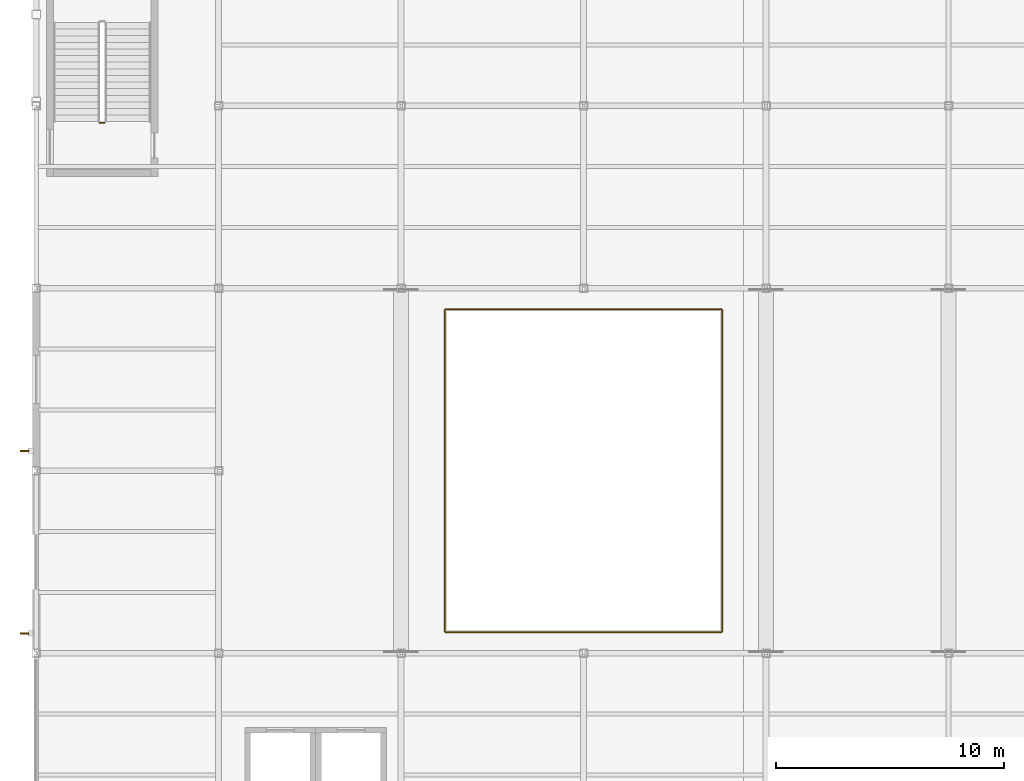
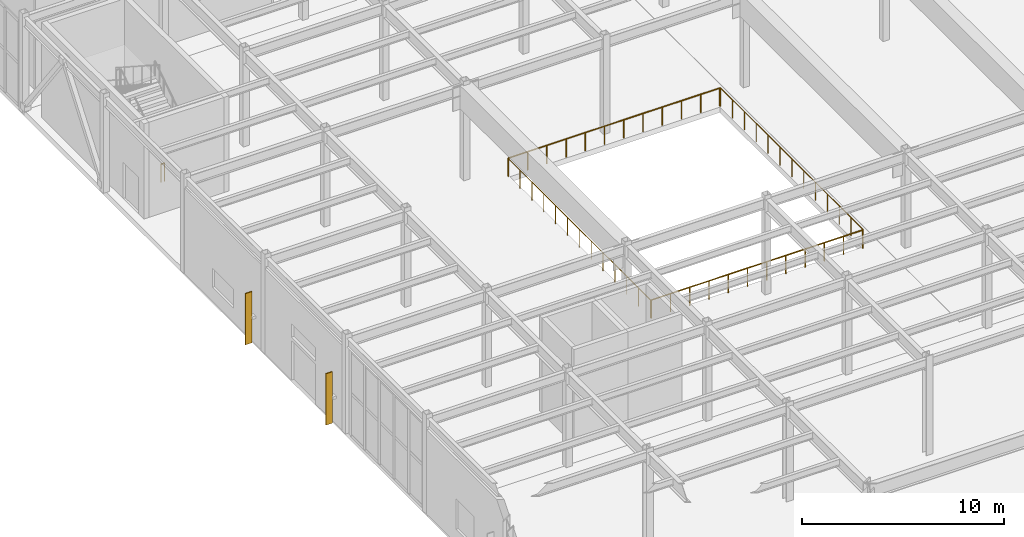
# One storey, part 75 of 82: 5 railings, 2 shading devices.
"""IFC4 building model written with IfcOpenShell, lengths in metres."""

from ifc_helpers import new_model, si_unit, direction, frame, origin, origin_2d, place, context, subcontext, project, spatial, rectangle, circle, extrude, material, type_object, element, save


model = new_model("IFC4")

# Units and contexts
model_context = context("Model", 3, precision=1e-05, world=origin(), true_north=direction((0.0, 1.0)))
body_context = subcontext(model_context, "Body", "Model", "MODEL_VIEW")
ifc_project = project(units=[si_unit("LENGTHUNIT", "METRE"), si_unit("AREAUNIT", "SQUARE_METRE"), si_unit("VOLUMEUNIT", "CUBIC_METRE"), si_unit("PLANEANGLEUNIT", "RADIAN"), si_unit("MASSUNIT", "GRAM", prefix="KILO")], contexts=[model_context])

# Site, building, storey
site_placement = place(None, origin())
site = spatial("IfcSite", under=ifc_project, at=site_placement, CompositionType="ELEMENT")
building_placement = place(site_placement, origin())
building = spatial("IfcBuilding", under=site, at=building_placement, Name="Drelvath Fold Interchange", CompositionType="ELEMENT")
storey_placement = place(building_placement, origin())
storey = spatial("IfcBuildingStorey", under=building, at=storey_placement, Name="L00", CompositionType="ELEMENT", Elevation=0.0)

# Railings
ifc_material_1 = material(Name="Stainless Steel 316L", Category="steel")
railing_type_1 = type_object("IfcRailingType", Name="RL-BAL1120", PredefinedType="BALUSTRADE", material=ifc_material_1)
railing_1_placement = place(storey_placement, frame((21.949951171875, 67.919921875, 0.0)))
element("IfcRailing", 1, at=railing_1_placement, inside=storey, type_object=railing_type_1, Name="L00 atrium overlook balustrade 2 (S)", PredefinedType="BALUSTRADE", context=body_context, shape_type="SweptSolid", body=[
    extrude(circle(Radius=0.02392578125, at=origin_2d()), frame((0.0, 0.0, 1.09619140625), z_axis=(1.0, 0.0, 0.0), x_axis=(0.0, 1.0, 0.0)), (0.0, 0.0, 1.0), 12.10009765625),
    extrude(circle(Radius=0.02099609375, at=origin_2d()), origin(), (0.0, 0.0, 1.0), 1.072021484375),
    extrude(circle(Radius=0.02099609375, at=origin_2d()), frame((1.10009765625, 0.0, 0.0)), (0.0, 0.0, 1.0), 1.072021484375),
    extrude(circle(Radius=0.02099609375, at=origin_2d()), frame((2.199951171875, 0.0, 0.0)), (0.0, 0.0, 1.0), 1.072021484375),
    extrude(circle(Radius=0.02099609375, at=origin_2d()), frame((3.300048828125, 0.0, 0.0)), (0.0, 0.0, 1.0), 1.072021484375),
    extrude(circle(Radius=0.02099609375, at=origin_2d()), frame((4.400146484375, 0.0, 0.0)), (0.0, 0.0, 1.0), 1.072021484375),
    extrude(circle(Radius=0.02099609375, at=origin_2d()), frame((5.5, 0.0, 0.0)), (0.0, 0.0, 1.0), 1.072021484375),
    extrude(circle(Radius=0.02099609375, at=origin_2d()), frame((6.60009765625, 0.0, 0.0)), (0.0, 0.0, 1.0), 1.072021484375),
    extrude(circle(Radius=0.02099609375, at=origin_2d()), frame((7.699951171875, 0.0, 0.0)), (0.0, 0.0, 1.0), 1.072021484375),
    extrude(circle(Radius=0.02099609375, at=origin_2d()), frame((8.800048828125, 0.0, 0.0)), (0.0, 0.0, 1.0), 1.072021484375),
    extrude(circle(Radius=0.02099609375, at=origin_2d()), frame((9.900146484375, 0.0, 0.0)), (0.0, 0.0, 1.0), 1.072021484375),
    extrude(circle(Radius=0.02099609375, at=origin_2d()), frame((11.0, 0.0, 0.0)), (0.0, 0.0, 1.0), 1.072021484375),
    extrude(circle(Radius=0.02099609375, at=origin_2d()), frame((12.10009765625, 0.0, 0.0)), (0.0, 0.0, 1.0), 1.072021484375),
])
railing_2_placement = place(storey_placement, frame((34.080078125, 67.949951171875, 0.0)))
element("IfcRailing", 2, at=railing_2_placement, inside=storey, type_object=railing_type_1, Name="L00 atrium overlook balustrade 2 (E)", PredefinedType="BALUSTRADE", context=body_context, shape_type="SweptSolid", body=[
    extrude(circle(Radius=0.02392578125, at=origin_2d()), frame((0.0, 0.0, 1.09619140625), z_axis=(0.0, 1.0, 0.0), x_axis=(-1.0, 0.0, 0.0)), (0.0, 0.0, 1.0), 14.10009765625),
    extrude(circle(Radius=0.02099609375, at=origin_2d()), origin(), (0.0, 0.0, 1.0), 1.072021484375),
    extrude(circle(Radius=0.02099609375, at=origin_2d()), frame((0.0, 1.175048828125, 0.0)), (0.0, 0.0, 1.0), 1.072021484375),
    extrude(circle(Radius=0.02099609375, at=origin_2d()), frame((0.0, 2.35009765625, 0.0)), (0.0, 0.0, 1.0), 1.072021484375),
    extrude(circle(Radius=0.02099609375, at=origin_2d()), frame((0.0, 3.52490234375, 0.0)), (0.0, 0.0, 1.0), 1.072021484375),
    extrude(circle(Radius=0.02099609375, at=origin_2d()), frame((0.0, 4.699951171875, 0.0)), (0.0, 0.0, 1.0), 1.072021484375),
    extrude(circle(Radius=0.02099609375, at=origin_2d()), frame((0.0, 5.875, 0.0)), (0.0, 0.0, 1.0), 1.072021484375),
    extrude(circle(Radius=0.02099609375, at=origin_2d()), frame((0.0, 7.050048828125, 0.0)), (0.0, 0.0, 1.0), 1.072021484375),
    extrude(circle(Radius=0.02099609375, at=origin_2d()), frame((0.0, 8.22509765625, 0.0)), (0.0, 0.0, 1.0), 1.072021484375),
    extrude(circle(Radius=0.02099609375, at=origin_2d()), frame((0.0, 9.400146484375, 0.0)), (0.0, 0.0, 1.0), 1.072021484375),
    extrude(circle(Radius=0.02099609375, at=origin_2d()), frame((0.0, 10.5751953125, 0.0)), (0.0, 0.0, 1.0), 1.072021484375),
    extrude(circle(Radius=0.02099609375, at=origin_2d()), frame((0.0, 11.75, 0.0)), (0.0, 0.0, 1.0), 1.072021484375),
    extrude(circle(Radius=0.02099609375, at=origin_2d()), frame((0.0, 12.925048828125, 0.0)), (0.0, 0.0, 1.0), 1.072021484375),
    extrude(circle(Radius=0.02099609375, at=origin_2d()), frame((0.0, 14.10009765625, 0.0)), (0.0, 0.0, 1.0), 1.072021484375),
])
railing_3_placement = place(storey_placement, frame((34.050048828125, 82.080078125, 0.0)))
element("IfcRailing", 3, at=railing_3_placement, inside=storey, type_object=railing_type_1, Name="L00 atrium overlook balustrade 2 (N)", PredefinedType="BALUSTRADE", context=body_context, shape_type="SweptSolid", body=[
    extrude(circle(Radius=0.02392578125, at=origin_2d()), frame((0.0, 0.0, 1.09619140625), z_axis=(-1.0, 0.0, 0.0), x_axis=(0.0, -1.0, 0.0)), (0.0, 0.0, 1.0), 12.10009765625),
    extrude(circle(Radius=0.02099609375, at=origin_2d()), origin(), (0.0, 0.0, 1.0), 1.072021484375),
    extrude(circle(Radius=0.02099609375, at=origin_2d()), frame((-1.10009765625, 0.0, 0.0)), (0.0, 0.0, 1.0), 1.072021484375),
    extrude(circle(Radius=0.02099609375, at=origin_2d()), frame((-2.199951171875, 0.0, 0.0)), (0.0, 0.0, 1.0), 1.072021484375),
    extrude(circle(Radius=0.02099609375, at=origin_2d()), frame((-3.300048828125, 0.0, 0.0)), (0.0, 0.0, 1.0), 1.072021484375),
    extrude(circle(Radius=0.02099609375, at=origin_2d()), frame((-4.400146484375, 0.0, 0.0)), (0.0, 0.0, 1.0), 1.072021484375),
    extrude(circle(Radius=0.02099609375, at=origin_2d()), frame((-5.5, 0.0, 0.0)), (0.0, 0.0, 1.0), 1.072021484375),
    extrude(circle(Radius=0.02099609375, at=origin_2d()), frame((-6.60009765625, 0.0, 0.0)), (0.0, 0.0, 1.0), 1.072021484375),
    extrude(circle(Radius=0.02099609375, at=origin_2d()), frame((-7.699951171875, 0.0, 0.0)), (0.0, 0.0, 1.0), 1.072021484375),
    extrude(circle(Radius=0.02099609375, at=origin_2d()), frame((-8.800048828125, 0.0, 0.0)), (0.0, 0.0, 1.0), 1.072021484375),
    extrude(circle(Radius=0.02099609375, at=origin_2d()), frame((-9.900146484375, 0.0, 0.0)), (0.0, 0.0, 1.0), 1.072021484375),
    extrude(circle(Radius=0.02099609375, at=origin_2d()), frame((-11.0, 0.0, 0.0)), (0.0, 0.0, 1.0), 1.072021484375),
    extrude(circle(Radius=0.02099609375, at=origin_2d()), frame((-12.10009765625, 0.0, 0.0)), (0.0, 0.0, 1.0), 1.072021484375),
])
railing_4_placement = place(storey_placement, frame((21.919921875, 82.050048828125, 0.0)))
element("IfcRailing", 4, at=railing_4_placement, inside=storey, type_object=railing_type_1, Name="L00 atrium overlook balustrade 2 (W)", PredefinedType="BALUSTRADE", context=body_context, shape_type="SweptSolid", body=[
    extrude(circle(Radius=0.02392578125, at=origin_2d()), frame((0.0, 0.0, 1.09619140625), z_axis=(0.0, -1.0, 0.0), x_axis=(1.0, 0.0, 0.0)), (0.0, 0.0, 1.0), 14.10009765625),
    extrude(circle(Radius=0.02099609375, at=origin_2d()), origin(), (0.0, 0.0, 1.0), 1.072021484375),
    extrude(circle(Radius=0.02099609375, at=origin_2d()), frame((0.0, -1.175048828125, 0.0)), (0.0, 0.0, 1.0), 1.072021484375),
    extrude(circle(Radius=0.02099609375, at=origin_2d()), frame((0.0, -2.35009765625, 0.0)), (0.0, 0.0, 1.0), 1.072021484375),
    extrude(circle(Radius=0.02099609375, at=origin_2d()), frame((0.0, -3.52490234375, 0.0)), (0.0, 0.0, 1.0), 1.072021484375),
    extrude(circle(Radius=0.02099609375, at=origin_2d()), frame((0.0, -4.699951171875, 0.0)), (0.0, 0.0, 1.0), 1.072021484375),
    extrude(circle(Radius=0.02099609375, at=origin_2d()), frame((0.0, -5.875, 0.0)), (0.0, 0.0, 1.0), 1.072021484375),
    extrude(circle(Radius=0.02099609375, at=origin_2d()), frame((0.0, -7.050048828125, 0.0)), (0.0, 0.0, 1.0), 1.072021484375),
    extrude(circle(Radius=0.02099609375, at=origin_2d()), frame((0.0, -8.22509765625, 0.0)), (0.0, 0.0, 1.0), 1.072021484375),
    extrude(circle(Radius=0.02099609375, at=origin_2d()), frame((0.0, -9.400146484375, 0.0)), (0.0, 0.0, 1.0), 1.072021484375),
    extrude(circle(Radius=0.02099609375, at=origin_2d()), frame((0.0, -10.5751953125, 0.0)), (0.0, 0.0, 1.0), 1.072021484375),
    extrude(circle(Radius=0.02099609375, at=origin_2d()), frame((0.0, -11.75, 0.0)), (0.0, 0.0, 1.0), 1.072021484375),
    extrude(circle(Radius=0.02099609375, at=origin_2d()), frame((0.0, -12.925048828125, 0.0)), (0.0, 0.0, 1.0), 1.072021484375),
    extrude(circle(Radius=0.02099609375, at=origin_2d()), frame((0.0, -14.10009765625, 0.0)), (0.0, 0.0, 1.0), 1.072021484375),
])
railing_type_2 = type_object("IfcRailingType", Name="RL-GRD1100", PredefinedType="GUARDRAIL", material=ifc_material_1)
railing_5_placement = place(storey_placement, frame((6.989990234375, 90.25, 0.0)))
element("IfcRailing", 5, at=railing_5_placement, inside=storey, type_object=railing_type_2, Name="L00 ST-05 stair guard 4", PredefinedType="GUARDRAIL", context=body_context, shape_type="SweptSolid", body=[
    extrude(circle(Radius=0.02392578125, at=origin_2d()), frame((0.0, 0.0, 1.076171875), z_axis=(-1.0, 0.0, 0.0), x_axis=(0.0, -1.0, 0.0)), (0.0, 0.0, 1.0), 0.199951171875),
    extrude(circle(Radius=0.02099609375, at=origin_2d()), origin(), (0.0, 0.0, 1.0), 1.052001953125),
    extrude(circle(Radius=0.02099609375, at=origin_2d()), frame((-0.199951171875, 0.0, 0.0)), (0.0, 0.0, 1.0), 1.052001953125),
])

# Shading devices
ifc_material_2 = material(Name="Anodized Aluminium 6063-T6", Category="aluminium")
shading_device_type = type_object("IfcShadingDeviceType", Name="SD-FIN380", PredefinedType="JALOUSIE", material=ifc_material_2)
for number, where, z_axis, x_axis, name in (
    (6, (3.47998046875, 67.8740234375, 0.099853515625), (0.0, 0.0, 1.0), (1.0, 0.0, 0.0), "Vertical aluminium solar fin 1"),
    (7, (3.492919921875, 75.8740234375, 0.099853515625), (0.0, 0.0, 1.0), (1.0, 0.0, 0.0), "Vertical aluminium solar fin 2"),
):
    element("IfcShadingDevice", number, at=place(storey_placement, frame(where, z_axis=z_axis, x_axis=x_axis)), inside=storey, type_object=shading_device_type, Name=name, PredefinedType="JALOUSIE", context=body_context, shape_type="SweptSolid", body=[
        extrude(rectangle(XDim=0.3798828125, YDim=0.06494140625, at=origin_2d()), origin(), (0.0, 0.0, 1.0), 3.10009765625),
    ])

save(model, "model.ifc")
